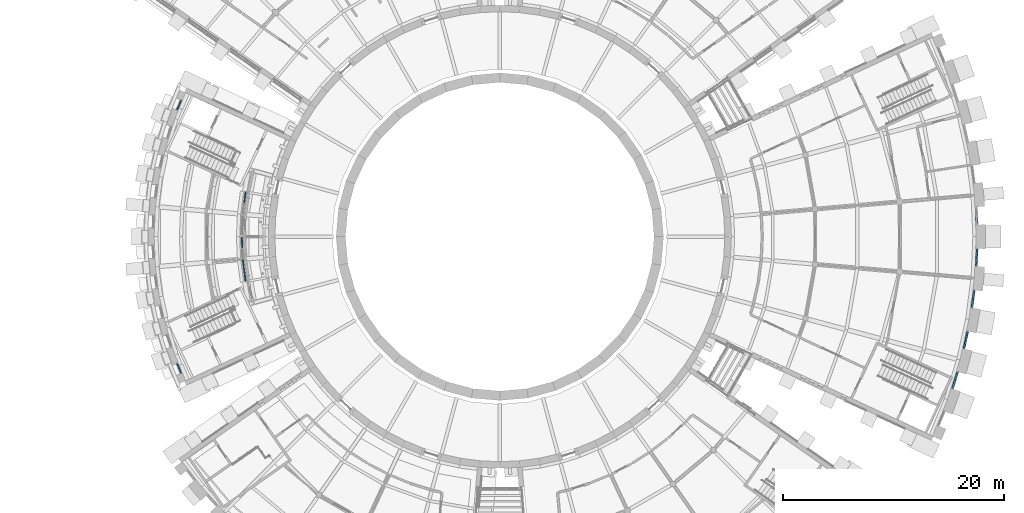
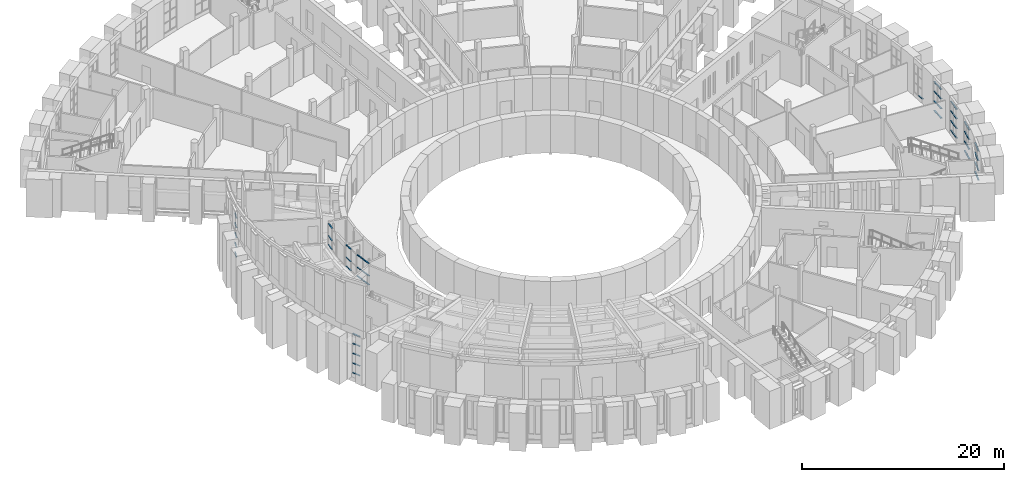
# One storey, part 26 of 66: 55 members, 10 elements without a shape of their own.
"""IFC4 building model written with IfcOpenShell, lengths in metres."""

from ifc_helpers import new_model, si_unit, direction, frame, origin, origin_2d, place, context, subcontext, project, spatial, rectangle, extrude, material, layer, layer_set, material_profile, profile_set, type_object, element, aggregate, save


model = new_model("IFC4")

# Units and contexts
model_context = context("Model", 3, precision=1e-05, world=origin(), true_north=direction((0.0, 1.0)))
body_context = subcontext(model_context, "Body", "Model", "MODEL_VIEW")
ifc_project = project(units=[si_unit("LENGTHUNIT", "METRE"), si_unit("AREAUNIT", "SQUARE_METRE"), si_unit("VOLUMEUNIT", "CUBIC_METRE"), si_unit("PLANEANGLEUNIT", "RADIAN"), si_unit("MASSUNIT", "GRAM", prefix="KILO")], contexts=[model_context])

# Site, building, storey
site_placement = place(None, origin())
site = spatial("IfcSite", under=ifc_project, at=site_placement, CompositionType="ELEMENT")
building_placement = place(site_placement, origin())
building = spatial("IfcBuilding", under=site, at=building_placement, Name="Volute Hill Aquarium", CompositionType="ELEMENT")
storey_placement = place(building_placement, frame((0.0, 0.0, 4.60009765625)))
storey = spatial("IfcBuildingStorey", under=building, at=storey_placement, Name="L02", CompositionType="ELEMENT", Elevation=4.60009765625)

# Curtain wall, members
ifc_material_1 = material(Name="Aluminium", Category="aluminium")
ifc_layer_1 = layer(ifc_material_1, 0.25)
ifc_layer_set_1 = layer_set([ifc_layer_1], Name="Curtain wall niche S1 module 993")
curtain_wall_type_1 = type_object("IfcCurtainWallType", Name="Curtain wall niche S1 module 993", PredefinedType="NOTDEFINED", material=ifc_layer_set_1)
curtain_wall_1_placement = place(storey_placement, origin())
curtain_wall_1 = element("IfcCurtainWall", 1, at=curtain_wall_1_placement, inside=storey, type_object=curtain_wall_type_1, Name="Curtain wall CW S1 L02 1", PredefinedType="NOTDEFINED")
ifc_material_2 = material(Name="Aluminium", Category="aluminium")
ifc_material_profile_1 = material_profile(ifc_material_2, rectangle(XDim=0.1201171875, YDim=0.050048828125, at=origin_2d()), Name="Curtain wall transom S1 50x120")
ifc_profile_set_1 = profile_set([ifc_material_profile_1], Name="Aluminium")
member_type_1 = type_object("IfcMemberType", Name="Curtain wall transom S1 50x120", PredefinedType="USERDEFINED", material=ifc_profile_set_1)
member_1_placement = place(storey_placement, frame((-28.918701171875, 12.353271484375, 0.474853515625), z_axis=(-0.382633610127, -0.923900167984, 0.0), x_axis=(0.923900167984, -0.382633610127, 0.0)))
member_1 = element("IfcMember", 2, at=member_1_placement, type_object=member_type_1, Name="CW transom 1.1", ObjectType="TRANSOM", PredefinedType="USERDEFINED", context=body_context, shape_type="SweptSolid", body=[
    extrude(rectangle(XDim=0.1201171875, YDim=0.050048828125, at=origin_2d()), origin(), (0.0, 0.0, 1.0), 0.892578125),
])
member_2_placement = place(storey_placement, frame((-28.918701171875, 12.353271484375, 1.639892578125), z_axis=(-0.382633610127, -0.923900167984, 0.0), x_axis=(0.923900167984, -0.382633610127, 0.0)))
member_2 = element("IfcMember", 3, at=member_2_placement, type_object=member_type_1, Name="CW transom 1.2", ObjectType="TRANSOM", PredefinedType="USERDEFINED", context=body_context, shape_type="SweptSolid", body=[
    extrude(rectangle(XDim=0.1201171875, YDim=0.050048828125, at=origin_2d()), origin(), (0.0, 0.0, 1.0), 0.892578125),
])
member_3_placement = place(storey_placement, frame((-28.918701171875, 12.353271484375, 2.829833984375), z_axis=(-0.382633610127, -0.923900167984, 0.0), x_axis=(0.923900167984, -0.382633610127, 0.0)))
member_3 = element("IfcMember", 4, at=member_3_placement, type_object=member_type_1, Name="CW transom 1.3", ObjectType="TRANSOM", PredefinedType="USERDEFINED", context=body_context, shape_type="SweptSolid", body=[
    extrude(rectangle(XDim=0.1201171875, YDim=0.050048828125, at=origin_2d()), origin(), (0.0, 0.0, 1.0), 0.892578125),
])
member_4_placement = place(storey_placement, frame((-28.918701171875, 12.353271484375, 4.02001953125), z_axis=(-0.382633610127, -0.923900167984, 0.0), x_axis=(0.923900167984, -0.382633610127, 0.0)))
member_4 = element("IfcMember", 5, at=member_4_placement, type_object=member_type_1, Name="CW transom 1.4", ObjectType="TRANSOM", PredefinedType="USERDEFINED", context=body_context, shape_type="SweptSolid", body=[
    extrude(rectangle(XDim=0.1201171875, YDim=0.050048828125, at=origin_2d()), origin(), (0.0, 0.0, 1.0), 0.892578125),
])
member_5_placement = place(storey_placement, frame((-28.918701171875, 12.353271484375, 5.184814453125), z_axis=(-0.382633610127, -0.923900167984, 0.0), x_axis=(0.923900167984, -0.382633610127, 0.0)))
member_5 = element("IfcMember", 6, at=member_5_placement, type_object=member_type_1, Name="CW transom 1.5", ObjectType="TRANSOM", PredefinedType="USERDEFINED", context=body_context, shape_type="SweptSolid", body=[
    extrude(rectangle(XDim=0.1201171875, YDim=0.050048828125, at=origin_2d()), origin(), (0.0, 0.0, 1.0), 0.892578125),
])
aggregate(curtain_wall_1, [member_1, member_2, member_3, member_4, member_5])

curtain_wall_2_placement = place(storey_placement, origin())
curtain_wall_2 = element("IfcCurtainWall", 7, at=curtain_wall_2_placement, inside=storey, type_object=curtain_wall_type_1, Name="Curtain wall CW S1 L02 10", PredefinedType="NOTDEFINED")
member_6_placement = place(storey_placement, frame((-29.26025390625, -11.528564453125, 0.474853515625), z_axis=(0.382633610127, -0.923900167984, 0.0), x_axis=(0.923900167984, 0.382633610127, 0.0)))
member_6 = element("IfcMember", 8, at=member_6_placement, type_object=member_type_1, Name="CW transom 1.1", ObjectType="TRANSOM", PredefinedType="USERDEFINED", context=body_context, shape_type="SweptSolid", body=[
    extrude(rectangle(XDim=0.1201171875, YDim=0.050048828125, at=origin_2d()), origin(), (0.0, 0.0, 1.0), 0.892578125),
])
member_7_placement = place(storey_placement, frame((-29.26025390625, -11.528564453125, 1.639892578125), z_axis=(0.382633610127, -0.923900167984, 0.0), x_axis=(0.923900167984, 0.382633610127, 0.0)))
member_7 = element("IfcMember", 9, at=member_7_placement, type_object=member_type_1, Name="CW transom 1.2", ObjectType="TRANSOM", PredefinedType="USERDEFINED", context=body_context, shape_type="SweptSolid", body=[
    extrude(rectangle(XDim=0.1201171875, YDim=0.050048828125, at=origin_2d()), origin(), (0.0, 0.0, 1.0), 0.892578125),
])
member_8_placement = place(storey_placement, frame((-29.26025390625, -11.528564453125, 2.829833984375), z_axis=(0.382633610127, -0.923900167984, 0.0), x_axis=(0.923900167984, 0.382633610127, 0.0)))
member_8 = element("IfcMember", 10, at=member_8_placement, type_object=member_type_1, Name="CW transom 1.3", ObjectType="TRANSOM", PredefinedType="USERDEFINED", context=body_context, shape_type="SweptSolid", body=[
    extrude(rectangle(XDim=0.1201171875, YDim=0.050048828125, at=origin_2d()), origin(), (0.0, 0.0, 1.0), 0.892578125),
])
member_9_placement = place(storey_placement, frame((-29.26025390625, -11.528564453125, 4.02001953125), z_axis=(0.382633610127, -0.923900167984, 0.0), x_axis=(0.923900167984, 0.382633610127, 0.0)))
member_9 = element("IfcMember", 11, at=member_9_placement, type_object=member_type_1, Name="CW transom 1.4", ObjectType="TRANSOM", PredefinedType="USERDEFINED", context=body_context, shape_type="SweptSolid", body=[
    extrude(rectangle(XDim=0.1201171875, YDim=0.050048828125, at=origin_2d()), origin(), (0.0, 0.0, 1.0), 0.892578125),
])
member_10_placement = place(storey_placement, frame((-29.26025390625, -11.528564453125, 5.184814453125), z_axis=(0.382633610127, -0.923900167984, 0.0), x_axis=(0.923900167984, 0.382633610127, 0.0)))
member_10 = element("IfcMember", 12, at=member_10_placement, type_object=member_type_1, Name="CW transom 1.5", ObjectType="TRANSOM", PredefinedType="USERDEFINED", context=body_context, shape_type="SweptSolid", body=[
    extrude(rectangle(XDim=0.1201171875, YDim=0.050048828125, at=origin_2d()), origin(), (0.0, 0.0, 1.0), 0.892578125),
])
aggregate(curtain_wall_2, [member_6, member_7, member_8, member_9, member_10])

ifc_material_3 = material(Name="Aluminium", Category="aluminium")
ifc_layer_2 = layer(ifc_material_3, 0.25)
ifc_layer_set_2 = layer_set([ifc_layer_2], Name="Curtain wall niche S4 module 819")
curtain_wall_type_2 = type_object("IfcCurtainWallType", Name="Curtain wall niche S4 module 819", PredefinedType="NOTDEFINED", material=ifc_layer_set_2)
curtain_wall_3_placement = place(storey_placement, origin())
curtain_wall_3 = element("IfcCurtainWall", 13, at=curtain_wall_3_placement, inside=storey, type_object=curtain_wall_type_2, Name="Curtain wall CW S4 L02 2", PredefinedType="NOTDEFINED")
ifc_material_4 = material(Name="Aluminium", Category="aluminium")
ifc_material_profile_2 = material_profile(ifc_material_4, rectangle(XDim=0.14990234375, YDim=0.06005859375, at=origin_2d()), Name="Curtain wall transom S4 60x150")
ifc_profile_set_2 = profile_set([ifc_material_profile_2], Name="Aluminium")
member_type_2 = type_object("IfcMemberType", Name="Curtain wall transom S4 60x150", PredefinedType="USERDEFINED", material=ifc_profile_set_2)
member_11_placement = place(storey_placement, frame((41.052001953125, -13.7392578125, 0.47998046875), z_axis=(0.300810716557, 0.953683864184, 0.0), x_axis=(-0.953683864184, 0.300810716557, 0.0)))
member_11 = element("IfcMember", 14, at=member_11_placement, type_object=member_type_2, Name="CW transom 1.1", ObjectType="TRANSOM", PredefinedType="USERDEFINED", context=body_context, shape_type="SweptSolid", body=[
    extrude(rectangle(XDim=0.14990234375, YDim=0.06005859375, at=origin_2d()), origin(), (0.0, 0.0, 1.0), 0.728759765625),
])
member_12_placement = place(storey_placement, frame((41.052001953125, -13.7392578125, 1.63330078125), z_axis=(0.300810716557, 0.953683864184, 0.0), x_axis=(-0.953683864184, 0.300810716557, 0.0)))
member_12 = element("IfcMember", 15, at=member_12_placement, type_object=member_type_2, Name="CW transom 1.2", ObjectType="TRANSOM", PredefinedType="USERDEFINED", context=body_context, shape_type="SweptSolid", body=[
    extrude(rectangle(XDim=0.14990234375, YDim=0.06005859375, at=origin_2d()), origin(), (0.0, 0.0, 1.0), 0.728759765625),
])
member_13_placement = place(storey_placement, frame((41.052001953125, -13.7392578125, 2.816650390625), z_axis=(0.300810716557, 0.953683864184, 0.0), x_axis=(-0.953683864184, 0.300810716557, 0.0)))
member_13 = element("IfcMember", 16, at=member_13_placement, type_object=member_type_2, Name="CW transom 1.3", ObjectType="TRANSOM", PredefinedType="USERDEFINED", context=body_context, shape_type="SweptSolid", body=[
    extrude(rectangle(XDim=0.14990234375, YDim=0.06005859375, at=origin_2d()), origin(), (0.0, 0.0, 1.0), 0.728759765625),
])
member_14_placement = place(storey_placement, frame((41.052001953125, -13.7392578125, 3.969970703125), z_axis=(0.300810716557, 0.953683864184, 0.0), x_axis=(-0.953683864184, 0.300810716557, 0.0)))
member_14 = element("IfcMember", 17, at=member_14_placement, type_object=member_type_2, Name="CW transom 1.4", ObjectType="TRANSOM", PredefinedType="USERDEFINED", context=body_context, shape_type="SweptSolid", body=[
    extrude(rectangle(XDim=0.14990234375, YDim=0.06005859375, at=origin_2d()), origin(), (0.0, 0.0, 1.0), 0.728759765625),
])
member_15_placement = place(storey_placement, frame((41.289306640625, -12.987060546875, 0.47998046875), z_axis=(0.300506003221, 0.953779923267, 0.0), x_axis=(-0.953779923267, 0.300506003221, 0.0)))
member_15 = element("IfcMember", 18, at=member_15_placement, type_object=member_type_2, Name="CW transom 2.1", ObjectType="TRANSOM", PredefinedType="USERDEFINED", context=body_context, shape_type="SweptSolid", body=[
    extrude(rectangle(XDim=0.14990234375, YDim=0.06005859375, at=origin_2d()), origin(), (0.0, 0.0, 1.0), 0.728759765625),
])
member_16_placement = place(storey_placement, frame((41.289306640625, -12.987060546875, 1.63330078125), z_axis=(0.300506003221, 0.953779923267, 0.0), x_axis=(-0.953779923267, 0.300506003221, 0.0)))
member_16 = element("IfcMember", 19, at=member_16_placement, type_object=member_type_2, Name="CW transom 2.2", ObjectType="TRANSOM", PredefinedType="USERDEFINED", context=body_context, shape_type="SweptSolid", body=[
    extrude(rectangle(XDim=0.14990234375, YDim=0.06005859375, at=origin_2d()), origin(), (0.0, 0.0, 1.0), 0.728759765625),
])
member_17_placement = place(storey_placement, frame((41.289306640625, -12.987060546875, 2.816650390625), z_axis=(0.300506003221, 0.953779923267, 0.0), x_axis=(-0.953779923267, 0.300506003221, 0.0)))
member_17 = element("IfcMember", 20, at=member_17_placement, type_object=member_type_2, Name="CW transom 2.3", ObjectType="TRANSOM", PredefinedType="USERDEFINED", context=body_context, shape_type="SweptSolid", body=[
    extrude(rectangle(XDim=0.14990234375, YDim=0.06005859375, at=origin_2d()), origin(), (0.0, 0.0, 1.0), 0.728759765625),
])
member_18_placement = place(storey_placement, frame((41.289306640625, -12.987060546875, 3.969970703125), z_axis=(0.300506003221, 0.953779923267, 0.0), x_axis=(-0.953779923267, 0.300506003221, 0.0)))
member_18 = element("IfcMember", 21, at=member_18_placement, type_object=member_type_2, Name="CW transom 2.4", ObjectType="TRANSOM", PredefinedType="USERDEFINED", context=body_context, shape_type="SweptSolid", body=[
    extrude(rectangle(XDim=0.14990234375, YDim=0.06005859375, at=origin_2d()), origin(), (0.0, 0.0, 1.0), 0.728759765625),
])
aggregate(curtain_wall_3, [member_11, member_12, member_13, member_14, member_15, member_16, member_17, member_18])

curtain_wall_4_placement = place(storey_placement, origin())
curtain_wall_4 = element("IfcCurtainWall", 22, at=curtain_wall_4_placement, inside=storey, type_object=curtain_wall_type_2, Name="Curtain wall CW S4 L02 3", PredefinedType="NOTDEFINED")
member_19_placement = place(storey_placement, frame((42.09326171875, -10.109130859375, 0.47998046875), z_axis=(0.216433786926, 0.976297298919, 0.0), x_axis=(-0.976297298919, 0.216433786926, 0.0)))
member_19 = element("IfcMember", 23, at=member_19_placement, type_object=member_type_2, Name="CW transom 1.1", ObjectType="TRANSOM", PredefinedType="USERDEFINED", context=body_context, shape_type="SweptSolid", body=[
    extrude(rectangle(XDim=0.14990234375, YDim=0.06005859375, at=origin_2d()), origin(), (0.0, 0.0, 1.0), 0.728759765625),
])
member_20_placement = place(storey_placement, frame((42.09326171875, -10.109130859375, 1.63330078125), z_axis=(0.216433786926, 0.976297298919, 0.0), x_axis=(-0.976297298919, 0.216433786926, 0.0)))
member_20 = element("IfcMember", 24, at=member_20_placement, type_object=member_type_2, Name="CW transom 1.2", ObjectType="TRANSOM", PredefinedType="USERDEFINED", context=body_context, shape_type="SweptSolid", body=[
    extrude(rectangle(XDim=0.14990234375, YDim=0.06005859375, at=origin_2d()), origin(), (0.0, 0.0, 1.0), 0.728759765625),
])
member_21_placement = place(storey_placement, frame((42.09326171875, -10.109130859375, 2.816650390625), z_axis=(0.216433786926, 0.976297298919, 0.0), x_axis=(-0.976297298919, 0.216433786926, 0.0)))
member_21 = element("IfcMember", 25, at=member_21_placement, type_object=member_type_2, Name="CW transom 1.3", ObjectType="TRANSOM", PredefinedType="USERDEFINED", context=body_context, shape_type="SweptSolid", body=[
    extrude(rectangle(XDim=0.14990234375, YDim=0.06005859375, at=origin_2d()), origin(), (0.0, 0.0, 1.0), 0.728759765625),
])
member_22_placement = place(storey_placement, frame((42.09326171875, -10.109130859375, 3.969970703125), z_axis=(0.216433786926, 0.976297298919, 0.0), x_axis=(-0.976297298919, 0.216433786926, 0.0)))
member_22 = element("IfcMember", 26, at=member_22_placement, type_object=member_type_2, Name="CW transom 1.4", ObjectType="TRANSOM", PredefinedType="USERDEFINED", context=body_context, shape_type="SweptSolid", body=[
    extrude(rectangle(XDim=0.14990234375, YDim=0.06005859375, at=origin_2d()), origin(), (0.0, 0.0, 1.0), 0.728759765625),
])
member_23_placement = place(storey_placement, frame((42.263916015625, -9.339111328125, 0.47998046875), z_axis=(0.216433786926, 0.976297298919, 0.0), x_axis=(-0.976297298919, 0.216433786926, 0.0)))
member_23 = element("IfcMember", 27, at=member_23_placement, type_object=member_type_2, Name="CW transom 2.1", ObjectType="TRANSOM", PredefinedType="USERDEFINED", context=body_context, shape_type="SweptSolid", body=[
    extrude(rectangle(XDim=0.14990234375, YDim=0.06005859375, at=origin_2d()), origin(), (0.0, 0.0, 1.0), 0.728759765625),
])
member_24_placement = place(storey_placement, frame((42.263916015625, -9.339111328125, 1.63330078125), z_axis=(0.216433786926, 0.976297298919, 0.0), x_axis=(-0.976297298919, 0.216433786926, 0.0)))
member_24 = element("IfcMember", 28, at=member_24_placement, type_object=member_type_2, Name="CW transom 2.2", ObjectType="TRANSOM", PredefinedType="USERDEFINED", context=body_context, shape_type="SweptSolid", body=[
    extrude(rectangle(XDim=0.14990234375, YDim=0.06005859375, at=origin_2d()), origin(), (0.0, 0.0, 1.0), 0.728759765625),
])
member_25_placement = place(storey_placement, frame((42.263916015625, -9.339111328125, 2.816650390625), z_axis=(0.216433786926, 0.976297298919, 0.0), x_axis=(-0.976297298919, 0.216433786926, 0.0)))
member_25 = element("IfcMember", 29, at=member_25_placement, type_object=member_type_2, Name="CW transom 2.3", ObjectType="TRANSOM", PredefinedType="USERDEFINED", context=body_context, shape_type="SweptSolid", body=[
    extrude(rectangle(XDim=0.14990234375, YDim=0.06005859375, at=origin_2d()), origin(), (0.0, 0.0, 1.0), 0.728759765625),
])
member_26_placement = place(storey_placement, frame((42.263916015625, -9.339111328125, 3.969970703125), z_axis=(0.216433786926, 0.976297298919, 0.0), x_axis=(-0.976297298919, 0.216433786926, 0.0)))
member_26 = element("IfcMember", 30, at=member_26_placement, type_object=member_type_2, Name="CW transom 2.4", ObjectType="TRANSOM", PredefinedType="USERDEFINED", context=body_context, shape_type="SweptSolid", body=[
    extrude(rectangle(XDim=0.14990234375, YDim=0.06005859375, at=origin_2d()), origin(), (0.0, 0.0, 1.0), 0.728759765625),
])
aggregate(curtain_wall_4, [member_19, member_20, member_21, member_22, member_23, member_24, member_25, member_26])

curtain_wall_5_placement = place(storey_placement, origin())
curtain_wall_5 = element("IfcCurtainWall", 31, at=curtain_wall_5_placement, inside=storey, type_object=curtain_wall_type_2, Name="Curtain wall CW S4 L02 4", PredefinedType="NOTDEFINED")
member_27_placement = place(storey_placement, frame((42.814208984375, -6.40185546875, 0.47998046875), z_axis=(0.130341833664, 0.991469115201, 0.0), x_axis=(-0.991469115201, 0.130341833664, 0.0)))
member_27 = element("IfcMember", 32, at=member_27_placement, type_object=member_type_2, Name="CW transom 1.1", ObjectType="TRANSOM", PredefinedType="USERDEFINED", context=body_context, shape_type="SweptSolid", body=[
    extrude(rectangle(XDim=0.14990234375, YDim=0.06005859375, at=origin_2d()), origin(), (0.0, 0.0, 1.0), 0.728515625),
])
member_28_placement = place(storey_placement, frame((42.814208984375, -6.40185546875, 1.63330078125), z_axis=(0.130341833664, 0.991469115201, 0.0), x_axis=(-0.991469115201, 0.130341833664, 0.0)))
member_28 = element("IfcMember", 33, at=member_28_placement, type_object=member_type_2, Name="CW transom 1.2", ObjectType="TRANSOM", PredefinedType="USERDEFINED", context=body_context, shape_type="SweptSolid", body=[
    extrude(rectangle(XDim=0.14990234375, YDim=0.06005859375, at=origin_2d()), origin(), (0.0, 0.0, 1.0), 0.728515625),
])
member_29_placement = place(storey_placement, frame((42.814208984375, -6.40185546875, 2.816650390625), z_axis=(0.130341833664, 0.991469115201, 0.0), x_axis=(-0.991469115201, 0.130341833664, 0.0)))
member_29 = element("IfcMember", 34, at=member_29_placement, type_object=member_type_2, Name="CW transom 1.3", ObjectType="TRANSOM", PredefinedType="USERDEFINED", context=body_context, shape_type="SweptSolid", body=[
    extrude(rectangle(XDim=0.14990234375, YDim=0.06005859375, at=origin_2d()), origin(), (0.0, 0.0, 1.0), 0.728515625),
])
member_30_placement = place(storey_placement, frame((42.814208984375, -6.40185546875, 3.969970703125), z_axis=(0.130341833664, 0.991469115201, 0.0), x_axis=(-0.991469115201, 0.130341833664, 0.0)))
member_30 = element("IfcMember", 35, at=member_30_placement, type_object=member_type_2, Name="CW transom 1.4", ObjectType="TRANSOM", PredefinedType="USERDEFINED", context=body_context, shape_type="SweptSolid", body=[
    extrude(rectangle(XDim=0.14990234375, YDim=0.06005859375, at=origin_2d()), origin(), (0.0, 0.0, 1.0), 0.728515625),
])
member_31_placement = place(storey_placement, frame((42.9169921875, -5.619873046875, 0.47998046875), z_axis=(0.130671188566, 0.991425761456, 0.0), x_axis=(-0.991425761456, 0.130671188566, 0.0)))
member_31 = element("IfcMember", 36, at=member_31_placement, type_object=member_type_2, Name="CW transom 2.1", ObjectType="TRANSOM", PredefinedType="USERDEFINED", context=body_context, shape_type="SweptSolid", body=[
    extrude(rectangle(XDim=0.14990234375, YDim=0.06005859375, at=origin_2d()), origin(), (0.0, 0.0, 1.0), 0.728759765625),
])
member_32_placement = place(storey_placement, frame((42.9169921875, -5.619873046875, 1.63330078125), z_axis=(0.130671188566, 0.991425761456, 0.0), x_axis=(-0.991425761456, 0.130671188566, 0.0)))
member_32 = element("IfcMember", 37, at=member_32_placement, type_object=member_type_2, Name="CW transom 2.2", ObjectType="TRANSOM", PredefinedType="USERDEFINED", context=body_context, shape_type="SweptSolid", body=[
    extrude(rectangle(XDim=0.14990234375, YDim=0.06005859375, at=origin_2d()), origin(), (0.0, 0.0, 1.0), 0.728759765625),
])
member_33_placement = place(storey_placement, frame((42.9169921875, -5.619873046875, 2.816650390625), z_axis=(0.130671188566, 0.991425761456, 0.0), x_axis=(-0.991425761456, 0.130671188566, 0.0)))
member_33 = element("IfcMember", 38, at=member_33_placement, type_object=member_type_2, Name="CW transom 2.3", ObjectType="TRANSOM", PredefinedType="USERDEFINED", context=body_context, shape_type="SweptSolid", body=[
    extrude(rectangle(XDim=0.14990234375, YDim=0.06005859375, at=origin_2d()), origin(), (0.0, 0.0, 1.0), 0.728759765625),
])
member_34_placement = place(storey_placement, frame((42.9169921875, -5.619873046875, 3.969970703125), z_axis=(0.130671188566, 0.991425761456, 0.0), x_axis=(-0.991425761456, 0.130671188566, 0.0)))
member_34 = element("IfcMember", 39, at=member_34_placement, type_object=member_type_2, Name="CW transom 2.4", ObjectType="TRANSOM", PredefinedType="USERDEFINED", context=body_context, shape_type="SweptSolid", body=[
    extrude(rectangle(XDim=0.14990234375, YDim=0.06005859375, at=origin_2d()), origin(), (0.0, 0.0, 1.0), 0.728759765625),
])
aggregate(curtain_wall_5, [member_27, member_28, member_29, member_30, member_31, member_32, member_33, member_34])

curtain_wall_6_placement = place(storey_placement, origin())
curtain_wall_6 = element("IfcCurtainWall", 40, at=curtain_wall_6_placement, inside=storey, type_object=curtain_wall_type_2, Name="Curtain wall CW S4 L02 5", PredefinedType="NOTDEFINED")
member_35_placement = place(storey_placement, frame((43.209228515625, -2.64599609375, 0.47998046875), z_axis=(0.04355353531, 0.99905109457, 0.0), x_axis=(-0.99905109457, 0.04355353531, 0.0)))
member_35 = element("IfcMember", 41, at=member_35_placement, type_object=member_type_2, Name="CW transom 1.1", ObjectType="TRANSOM", PredefinedType="USERDEFINED", context=body_context, shape_type="SweptSolid", body=[
    extrude(rectangle(XDim=0.14990234375, YDim=0.06005859375, at=origin_2d()), origin(), (0.0, 0.0, 1.0), 0.728759765625),
])
member_36_placement = place(storey_placement, frame((43.209228515625, -2.64599609375, 1.63330078125), z_axis=(0.04355353531, 0.99905109457, 0.0), x_axis=(-0.99905109457, 0.04355353531, 0.0)))
member_36 = element("IfcMember", 42, at=member_36_placement, type_object=member_type_2, Name="CW transom 1.2", ObjectType="TRANSOM", PredefinedType="USERDEFINED", context=body_context, shape_type="SweptSolid", body=[
    extrude(rectangle(XDim=0.14990234375, YDim=0.06005859375, at=origin_2d()), origin(), (0.0, 0.0, 1.0), 0.728759765625),
])
member_37_placement = place(storey_placement, frame((43.209228515625, -2.64599609375, 2.816650390625), z_axis=(0.04355353531, 0.99905109457, 0.0), x_axis=(-0.99905109457, 0.04355353531, 0.0)))
member_37 = element("IfcMember", 43, at=member_37_placement, type_object=member_type_2, Name="CW transom 1.3", ObjectType="TRANSOM", PredefinedType="USERDEFINED", context=body_context, shape_type="SweptSolid", body=[
    extrude(rectangle(XDim=0.14990234375, YDim=0.06005859375, at=origin_2d()), origin(), (0.0, 0.0, 1.0), 0.728759765625),
])
member_38_placement = place(storey_placement, frame((43.209228515625, -2.64599609375, 3.969970703125), z_axis=(0.04355353531, 0.99905109457, 0.0), x_axis=(-0.99905109457, 0.04355353531, 0.0)))
member_38 = element("IfcMember", 44, at=member_38_placement, type_object=member_type_2, Name="CW transom 1.4", ObjectType="TRANSOM", PredefinedType="USERDEFINED", context=body_context, shape_type="SweptSolid", body=[
    extrude(rectangle(XDim=0.14990234375, YDim=0.06005859375, at=origin_2d()), origin(), (0.0, 0.0, 1.0), 0.728759765625),
])
member_39_placement = place(storey_placement, frame((43.24365234375, -1.85791015625, 0.47998046875), z_axis=(0.04355353531, 0.99905109457, 0.0), x_axis=(-0.99905109457, 0.04355353531, 0.0)))
member_39 = element("IfcMember", 45, at=member_39_placement, type_object=member_type_2, Name="CW transom 2.1", ObjectType="TRANSOM", PredefinedType="USERDEFINED", context=body_context, shape_type="SweptSolid", body=[
    extrude(rectangle(XDim=0.14990234375, YDim=0.06005859375, at=origin_2d()), origin(), (0.0, 0.0, 1.0), 0.728759765625),
])
member_40_placement = place(storey_placement, frame((43.24365234375, -1.85791015625, 1.63330078125), z_axis=(0.04355353531, 0.99905109457, 0.0), x_axis=(-0.99905109457, 0.04355353531, 0.0)))
member_40 = element("IfcMember", 46, at=member_40_placement, type_object=member_type_2, Name="CW transom 2.2", ObjectType="TRANSOM", PredefinedType="USERDEFINED", context=body_context, shape_type="SweptSolid", body=[
    extrude(rectangle(XDim=0.14990234375, YDim=0.06005859375, at=origin_2d()), origin(), (0.0, 0.0, 1.0), 0.728759765625),
])
member_41_placement = place(storey_placement, frame((43.24365234375, -1.85791015625, 2.816650390625), z_axis=(0.04355353531, 0.99905109457, 0.0), x_axis=(-0.99905109457, 0.04355353531, 0.0)))
member_41 = element("IfcMember", 47, at=member_41_placement, type_object=member_type_2, Name="CW transom 2.3", ObjectType="TRANSOM", PredefinedType="USERDEFINED", context=body_context, shape_type="SweptSolid", body=[
    extrude(rectangle(XDim=0.14990234375, YDim=0.06005859375, at=origin_2d()), origin(), (0.0, 0.0, 1.0), 0.728759765625),
])
member_42_placement = place(storey_placement, frame((43.24365234375, -1.85791015625, 3.969970703125), z_axis=(0.04355353531, 0.99905109457, 0.0), x_axis=(-0.99905109457, 0.04355353531, 0.0)))
member_42 = element("IfcMember", 48, at=member_42_placement, type_object=member_type_2, Name="CW transom 2.4", ObjectType="TRANSOM", PredefinedType="USERDEFINED", context=body_context, shape_type="SweptSolid", body=[
    extrude(rectangle(XDim=0.14990234375, YDim=0.06005859375, at=origin_2d()), origin(), (0.0, 0.0, 1.0), 0.728759765625),
])
aggregate(curtain_wall_6, [member_35, member_36, member_37, member_38, member_39, member_40, member_41, member_42])

# Curtain wall, member
curtain_wall_7_placement = place(storey_placement, origin())
curtain_wall_7 = element("IfcCurtainWall", 49, at=curtain_wall_7_placement, inside=storey, type_object=curtain_wall_type_2, Name="Curtain wall CW S4 L02 6", PredefinedType="NOTDEFINED")
member_43_placement = place(storey_placement, frame((43.275390625, 1.130126953125, 0.47998046875), z_axis=(-0.04355353531, 0.99905109457, 0.0), x_axis=(-0.99905109457, -0.04355353531, 0.0)))
member_43 = element("IfcMember", 50, at=member_43_placement, type_object=member_type_2, Name="CW transom 1.1", ObjectType="TRANSOM", PredefinedType="USERDEFINED", context=body_context, shape_type="SweptSolid", body=[
    extrude(rectangle(XDim=0.14990234375, YDim=0.06005859375, at=origin_2d()), origin(), (0.0, 0.0, 1.0), 0.728759765625),
])
aggregate(curtain_wall_7, [member_43])

# Curtain wall, members
ifc_material_5 = material(Name="Aluminium", Category="aluminium")
ifc_layer_3 = layer(ifc_material_5, 0.1201171875)
ifc_layer_set_3 = layer_set([ifc_layer_3], Name="Curtain wall S1 pavilion module 1021")
curtain_wall_type_3 = type_object("IfcCurtainWallType", Name="Curtain wall S1 pavilion module 1021", PredefinedType="NOTDEFINED", material=ifc_layer_set_3)
curtain_wall_8_placement = place(storey_placement, origin())
curtain_wall_8 = element("IfcCurtainWall", 51, at=curtain_wall_8_placement, inside=storey, type_object=curtain_wall_type_3, Name="Curtain wall CW S1 pavilion gp0", PredefinedType="NOTDEFINED")
ifc_material_6 = material(Name="Aluminium", Category="aluminium")
ifc_material_profile_3 = material_profile(ifc_material_6, rectangle(XDim=0.10009765625, YDim=0.050048828125, at=origin_2d()), Name="Curtain wall transom pavilion 50x100")
ifc_profile_set_3 = profile_set([ifc_material_profile_3], Name="Aluminium")
member_type_3 = type_object("IfcMemberType", Name="Curtain wall transom pavilion 50x100", PredefinedType="USERDEFINED", material=ifc_profile_set_3)
member_44_placement = place(storey_placement, frame((-23.051025390625, 4.013916015625, 4.344970703125), z_axis=(-0.130608081992, -0.99143407694, 0.0), x_axis=(0.99143407694, -0.130608081992, 0.0)))
member_44 = element("IfcMember", 52, at=member_44_placement, type_object=member_type_3, Name="Transom S1 pavilion 1.1", ObjectType="TRANSOM", PredefinedType="USERDEFINED", context=body_context, shape_type="SweptSolid", body=[
    extrude(rectangle(XDim=0.10009765625, YDim=0.050048828125, at=origin_2d()), origin(), (0.0, 0.0, 1.0), 0.94580078125),
])
member_45_placement = place(storey_placement, frame((-23.051025390625, 4.013916015625, 5.419921875), z_axis=(-0.130608081992, -0.99143407694, 0.0), x_axis=(0.99143407694, -0.130608081992, 0.0)))
member_45 = element("IfcMember", 53, at=member_45_placement, type_object=member_type_3, Name="Transom S1 pavilion 1.2", ObjectType="TRANSOM", PredefinedType="USERDEFINED", context=body_context, shape_type="SweptSolid", body=[
    extrude(rectangle(XDim=0.10009765625, YDim=0.050048828125, at=origin_2d()), origin(), (0.0, 0.0, 1.0), 0.94580078125),
])
member_46_placement = place(storey_placement, frame((-23.051025390625, 4.013916015625, 6.89501953125), z_axis=(-0.130608081992, -0.99143407694, 0.0), x_axis=(0.99143407694, -0.130608081992, 0.0)))
member_46 = element("IfcMember", 54, at=member_46_placement, type_object=member_type_3, Name="Head member S1 pavilion 1", ObjectType="TRANSOM", PredefinedType="USERDEFINED", context=body_context, shape_type="SweptSolid", body=[
    extrude(rectangle(XDim=0.10009765625, YDim=0.050048828125, at=origin_2d()), origin(), (0.0, 0.0, 1.0), 0.94580078125),
])
aggregate(curtain_wall_8, [member_44, member_45, member_46])

curtain_wall_9_placement = place(storey_placement, origin())
curtain_wall_9 = element("IfcCurtainWall", 55, at=curtain_wall_9_placement, inside=storey, type_object=curtain_wall_type_3, Name="Curtain wall CW S1 pavilion gp2", PredefinedType="NOTDEFINED")
member_47_placement = place(storey_placement, frame((-23.397705078125, -0.050048828125, 4.344970703125), z_axis=(0.043381195037, -0.999058592835, 0.0), x_axis=(0.999058592835, 0.043381195037, 0.0)))
member_47 = element("IfcMember", 56, at=member_47_placement, type_object=member_type_3, Name="Transom S1 pavilion 1.1", ObjectType="TRANSOM", PredefinedType="USERDEFINED", context=body_context, shape_type="SweptSolid", body=[
    extrude(rectangle(XDim=0.10009765625, YDim=0.050048828125, at=origin_2d()), origin(), (0.0, 0.0, 1.0), 0.945556640625),
])
member_48_placement = place(storey_placement, frame((-23.397705078125, -0.050048828125, 5.419921875), z_axis=(0.043381195037, -0.999058592835, 0.0), x_axis=(0.999058592835, 0.043381195037, 0.0)))
member_48 = element("IfcMember", 57, at=member_48_placement, type_object=member_type_3, Name="Transom S1 pavilion 1.2", ObjectType="TRANSOM", PredefinedType="USERDEFINED", context=body_context, shape_type="SweptSolid", body=[
    extrude(rectangle(XDim=0.10009765625, YDim=0.050048828125, at=origin_2d()), origin(), (0.0, 0.0, 1.0), 0.945556640625),
])
member_49_placement = place(storey_placement, frame((-23.397705078125, -0.050048828125, 6.89501953125), z_axis=(0.043381195037, -0.999058592835, 0.0), x_axis=(0.999058592835, 0.043381195037, 0.0)))
member_49 = element("IfcMember", 58, at=member_49_placement, type_object=member_type_3, Name="Head member S1 pavilion 1", ObjectType="TRANSOM", PredefinedType="USERDEFINED", context=body_context, shape_type="SweptSolid", body=[
    extrude(rectangle(XDim=0.10009765625, YDim=0.050048828125, at=origin_2d()), origin(), (0.0, 0.0, 1.0), 0.945556640625),
])
aggregate(curtain_wall_9, [member_47, member_48, member_49])

curtain_wall_10_placement = place(storey_placement, origin())
curtain_wall_10 = element("IfcCurtainWall", 59, at=curtain_wall_10_placement, inside=storey, type_object=curtain_wall_type_3, Name="Curtain wall CW S1 pavilion gp3", PredefinedType="NOTDEFINED")
member_50_placement = place(storey_placement, frame((-23.304443359375, -2.0888671875, 4.344970703125), z_axis=(0.130608081992, -0.99143407694, 0.0), x_axis=(0.99143407694, 0.130608081992, 0.0)))
member_50 = element("IfcMember", 60, at=member_50_placement, type_object=member_type_3, Name="Transom S1 pavilion 1.1", ObjectType="TRANSOM", PredefinedType="USERDEFINED", context=body_context, shape_type="SweptSolid", body=[
    extrude(rectangle(XDim=0.10009765625, YDim=0.050048828125, at=origin_2d()), origin(), (0.0, 0.0, 1.0), 0.94580078125),
])
member_51_placement = place(storey_placement, frame((-23.304443359375, -2.0888671875, 5.419921875), z_axis=(0.130608081992, -0.99143407694, 0.0), x_axis=(0.99143407694, 0.130608081992, 0.0)))
member_51 = element("IfcMember", 61, at=member_51_placement, type_object=member_type_3, Name="Transom S1 pavilion 1.2", ObjectType="TRANSOM", PredefinedType="USERDEFINED", context=body_context, shape_type="SweptSolid", body=[
    extrude(rectangle(XDim=0.10009765625, YDim=0.050048828125, at=origin_2d()), origin(), (0.0, 0.0, 1.0), 0.94580078125),
])
member_52_placement = place(storey_placement, frame((-23.304443359375, -2.0888671875, 6.89501953125), z_axis=(0.130608081992, -0.99143407694, 0.0), x_axis=(0.99143407694, 0.130608081992, 0.0)))
member_52 = element("IfcMember", 62, at=member_52_placement, type_object=member_type_3, Name="Head member S1 pavilion 1", ObjectType="TRANSOM", PredefinedType="USERDEFINED", context=body_context, shape_type="SweptSolid", body=[
    extrude(rectangle(XDim=0.10009765625, YDim=0.050048828125, at=origin_2d()), origin(), (0.0, 0.0, 1.0), 0.94580078125),
])
member_53_placement = place(storey_placement, frame((-23.174560546875, -3.076171875, 4.344970703125), z_axis=(0.130608081992, -0.99143407694, 0.0), x_axis=(0.99143407694, 0.130608081992, 0.0)))
member_53 = element("IfcMember", 63, at=member_53_placement, type_object=member_type_3, Name="Transom S1 pavilion 2.1", ObjectType="TRANSOM", PredefinedType="USERDEFINED", context=body_context, shape_type="SweptSolid", body=[
    extrude(rectangle(XDim=0.10009765625, YDim=0.050048828125, at=origin_2d()), origin(), (0.0, 0.0, 1.0), 0.94580078125),
])
member_54_placement = place(storey_placement, frame((-23.174560546875, -3.076171875, 5.419921875), z_axis=(0.130608081992, -0.99143407694, 0.0), x_axis=(0.99143407694, 0.130608081992, 0.0)))
member_54 = element("IfcMember", 64, at=member_54_placement, type_object=member_type_3, Name="Transom S1 pavilion 2.2", ObjectType="TRANSOM", PredefinedType="USERDEFINED", context=body_context, shape_type="SweptSolid", body=[
    extrude(rectangle(XDim=0.10009765625, YDim=0.050048828125, at=origin_2d()), origin(), (0.0, 0.0, 1.0), 0.94580078125),
])
member_55_placement = place(storey_placement, frame((-23.174560546875, -3.076171875, 6.89501953125), z_axis=(0.130608081992, -0.99143407694, 0.0), x_axis=(0.99143407694, 0.130608081992, 0.0)))
member_55 = element("IfcMember", 65, at=member_55_placement, type_object=member_type_3, Name="Head member S1 pavilion 2", ObjectType="TRANSOM", PredefinedType="USERDEFINED", context=body_context, shape_type="SweptSolid", body=[
    extrude(rectangle(XDim=0.10009765625, YDim=0.050048828125, at=origin_2d()), origin(), (0.0, 0.0, 1.0), 0.94580078125),
])
aggregate(curtain_wall_10, [member_50, member_51, member_52, member_53, member_54, member_55])

save(model, "model.ifc")
